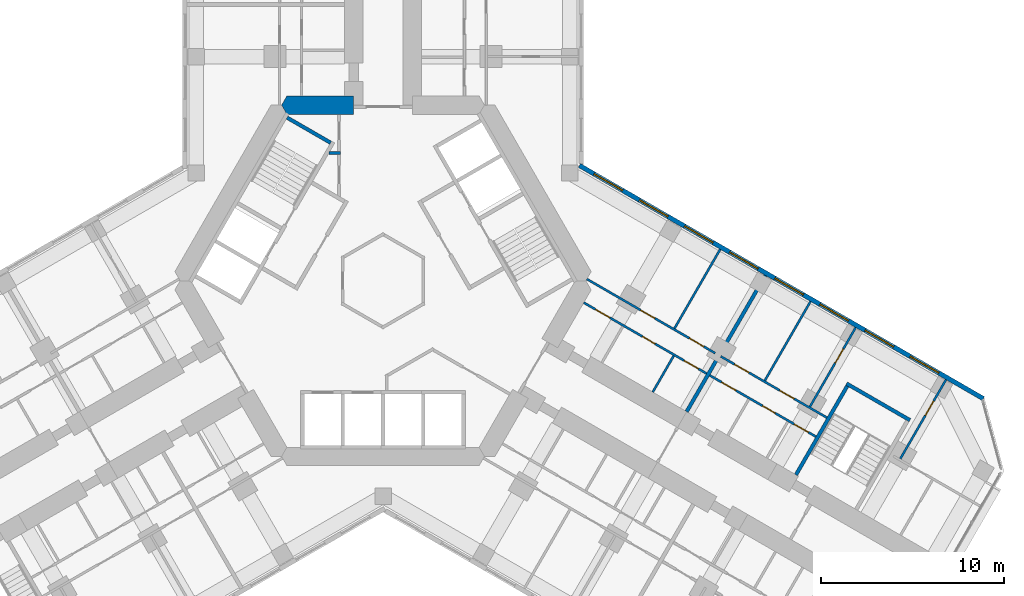
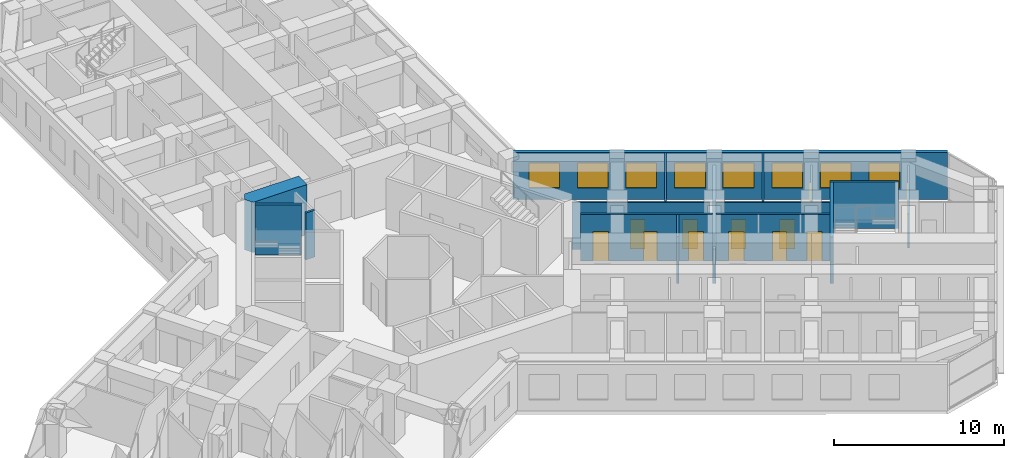
# One storey, part 16 of 21: 16 walls, 12 doors, 8 windows, 20 openings.
"""IFC4 building model written with IfcOpenShell, lengths in metres."""

from ifc_helpers import new_model, si_unit, direction, frame, frame_2d, origin, place, context, subcontext, project, spatial, polyline, rectangle, outline, extrude, material, layer, layer_set, type_object, element, fill, save


model = new_model("IFC4")

# Units and contexts
model_context = context("Model", 3, precision=1e-05, world=origin(), true_north=direction((0.0, 1.0)))
body_context = subcontext(model_context, "Body", "Model", "MODEL_VIEW")
ifc_project = project(units=[si_unit("LENGTHUNIT", "METRE"), si_unit("AREAUNIT", "SQUARE_METRE"), si_unit("VOLUMEUNIT", "CUBIC_METRE"), si_unit("PLANEANGLEUNIT", "RADIAN"), si_unit("MASSUNIT", "GRAM", prefix="KILO")], contexts=[model_context])

# Site, building, storey
site_placement = place(None, origin())
site = spatial("IfcSite", under=ifc_project, at=site_placement, CompositionType="ELEMENT")
building_placement = place(site_placement, origin())
building = spatial("IfcBuilding", under=site, at=building_placement, Name="Kosmar Iwan School Tower", CompositionType="ELEMENT")
storey_placement = place(building_placement, frame((0.0, 0.0, 98.800048828125)))
storey = spatial("IfcBuildingStorey", under=building, at=storey_placement, Name="L24", CompositionType="ELEMENT", Elevation=98.800048828125)

# Walls
ifc_material_1 = material(Name="Gypsum board on steel studs, fire-rated", Category="steel")
ifc_layer_1 = layer(ifc_material_1, 0.14990234375)
ifc_layer_set_1 = layer_set([ifc_layer_1], Name="Core room partition 150")
wall_type_1 = type_object("IfcWallType", Name="Core room partition 150", PredefinedType="PARTITIONING", material=ifc_layer_set_1)
wall_1_placement = place(storey_placement, frame((-2.324951171875, 6.985107421875, 0.0), z_axis=(0.0, 0.0, 1.0), x_axis=(-1.0, 0.0, 0.0)))
element("IfcWall", 1, at=wall_1_placement, inside=storey, type_object=wall_type_1, Name="Core room partition L24-CW2", PredefinedType="PARTITIONING", context=body_context, shape_type="SweptSolid", body=[
    extrude(rectangle(XDim=0.623779296875, YDim=0.14990234375, at=frame_2d((0.31201171875, 0.0))), origin(), (0.0, 0.0, 1.0), 3.349853515625),
])
ifc_material_2 = material(Name="Concrete C50/60", Category="concrete")
ifc_layer_2 = layer(ifc_material_2, 1.0)
ifc_layer_set_2 = layer_set([ifc_layer_2], Name="Core wall 1000")
wall_type_2 = type_object("IfcWallType", Name="Core wall 1000", PredefinedType="SHEAR", material=ifc_layer_set_2)
wall_2_placement = place(storey_placement, origin())
element("IfcWall", 2, at=wall_2_placement, inside=storey, type_object=wall_type_2, Name="Core wall F090b", PredefinedType="SHEAR", context=body_context, shape_type="SweptSolid", body=[
    extrude(outline(polyline([(-5.25390625, 9.10009765625), (-1.60009765625, 9.10009765625), (-1.60009765625, 10.10009765625), (-5.25390625, 10.10009765625), (-5.54248046875, 9.60009765625), (-5.25390625, 9.10009765625)])), origin(), (0.0, 0.0, 1.0), 3.599853515625),
])

# Wall, openings, doors
ifc_material_3 = material(Name="Gypsum board on steel studs", Category="steel")
ifc_layer_3 = layer(ifc_material_3, 0.1201171875)
ifc_layer_set_3 = layer_set([ifc_layer_3], Name="Dwelling partition 120")
wall_type_3 = type_object("IfcWallType", Name="Dwelling partition 120", PredefinedType="PARTITIONING", material=ifc_layer_set_3)
wall_3_placement = place(storey_placement, frame((10.971923828125, -1.1962890625, 0.0), z_axis=(0.0, 0.0, 1.0), x_axis=(0.866024534185, -0.500001506187, 0.0)))
wall_3 = element("IfcWall", 3, at=wall_3_placement, inside=storey, type_object=wall_type_3, Name="Partition L24-CL1-W1", PredefinedType="PARTITIONING", context=body_context, shape_type="SweptSolid", body=[
    extrude(rectangle(XDim=7.75, YDim=0.1201171875, at=frame_2d((3.875, 0.0))), origin(), (0.0, 0.0, 1.0), 3.349853515625),
])
opening_1_placement = place(wall_3_placement, frame((0.75, 0.0, 0.0)))
opening_1 = element("IfcOpeningElement", 4, at=opening_1_placement, cuts=wall_3, Name="Opening D2", PredefinedType="OPENING", context=body_context, shape_type="SweptSolid", body=[
    extrude(rectangle(XDim=0.89990234375, YDim=2.10009765625, at=frame_2d((0.449951171875, 1.050048828125))), frame((0.0, 0.072021484375, 0.0), z_axis=(0.0, -1.0, 0.0), x_axis=(1.0, 0.0, 0.0)), (0.0, 0.0, 1.0), 0.14404296875),
])
opening_2_placement = place(wall_3_placement, frame((3.705078125, 0.0, 0.0)))
opening_2 = element("IfcOpeningElement", 5, at=opening_2_placement, cuts=wall_3, Name="Opening D3", PredefinedType="OPENING", context=body_context, shape_type="SweptSolid", body=[
    extrude(rectangle(XDim=0.800048828125, YDim=2.10009765625, at=frame_2d((0.39990234375, 1.050048828125))), frame((0.0, 0.072021484375, 0.0), z_axis=(0.0, -1.0, 0.0), x_axis=(1.0, 0.0, 0.0)), (0.0, 0.0, 1.0), 0.14404296875),
])
opening_3_placement = place(wall_3_placement, frame((6.330078125, 0.0, 0.0)))
opening_3 = element("IfcOpeningElement", 6, at=opening_3_placement, cuts=wall_3, Name="Opening D2", PredefinedType="OPENING", context=body_context, shape_type="SweptSolid", body=[
    extrude(rectangle(XDim=0.89990234375, YDim=2.10009765625, at=frame_2d((0.449951171875, 1.050048828125))), frame((0.0, 0.072021484375, 0.0), z_axis=(0.0, -1.0, 0.0), x_axis=(1.0, 0.0, 0.0)), (0.0, 0.0, 1.0), 0.14404296875),
])
ifc_material_4 = material(Name="Timber door in timber frame", Category="wood")
door_type_1 = type_object("IfcDoorType", Name="Internal door 900x2100", OperationType="SINGLE_SWING_LEFT", PredefinedType="DOOR", material=ifc_material_4)
door_1_placement = place(opening_1_placement, origin())
door_1 = element("IfcDoor", 7, at=door_1_placement, inside=storey, type_object=door_type_1, Name="Entrance hall door L24-CL1-S1", OperationType="SINGLE_SWING_LEFT", OverallHeight=2.10009765625, OverallWidth=0.89990234375, PredefinedType="DOOR", context=body_context, shape_type="SweptSolid", body=[
    extrude(rectangle(XDim=0.89990234375, YDim=2.10009765625, at=frame_2d((0.449951171875, 1.050048828125))), frame((0.0, 0.02490234375, 0.0), z_axis=(0.0, -1.0, 0.0), x_axis=(1.0, 0.0, 0.0)), (0.0, 0.0, 1.0), 0.050048828125),
])
fill(opening_1, door_1)
door_2_placement = place(opening_3_placement, origin())
door_2 = element("IfcDoor", 8, at=door_2_placement, inside=storey, type_object=door_type_1, Name="Pantry door L24-CL1-S3", OperationType="SINGLE_SWING_RIGHT", OverallHeight=2.10009765625, OverallWidth=0.89990234375, PredefinedType="DOOR", context=body_context, shape_type="SweptSolid", body=[
    extrude(rectangle(XDim=0.89990234375, YDim=2.10009765625, at=frame_2d((0.449951171875, 1.050048828125))), frame((0.0, 0.02490234375, 0.0), z_axis=(0.0, -1.0, 0.0), x_axis=(1.0, 0.0, 0.0)), (0.0, 0.0, 1.0), 0.050048828125),
])
fill(opening_3, door_2)
ifc_material_5 = material(Name="Timber door in timber frame", Category="wood")
door_type_2 = type_object("IfcDoorType", Name="Sanitary room door 800x2100", OperationType="SINGLE_SWING_LEFT", PredefinedType="DOOR", material=ifc_material_5)
door_3_placement = place(opening_2_placement, origin())
door_3 = element("IfcDoor", 9, at=door_3_placement, inside=storey, type_object=door_type_2, Name="Bathroom door L24-CL1-S2", OperationType="SINGLE_SWING_RIGHT", OverallHeight=2.10009765625, OverallWidth=0.800048828125, PredefinedType="DOOR", context=body_context, shape_type="SweptSolid", body=[
    extrude(rectangle(XDim=0.800048828125, YDim=2.10009765625, at=frame_2d((0.39990234375, 1.050048828125))), frame((0.0, 0.02490234375, 0.0), z_axis=(0.0, -1.0, 0.0), x_axis=(1.0, 0.0, 0.0)), (0.0, 0.0, 1.0), 0.050048828125),
])
fill(opening_2, door_3)

wall_4_placement = place(storey_placement, frame((11.138916015625, 0.093017578125, 0.0), z_axis=(0.0, 0.0, 1.0), x_axis=(0.866017937352, -0.500012932018, 0.0)))
wall_4 = element("IfcWall", 10, at=wall_4_placement, inside=storey, type_object=wall_type_3, Name="Partition L24-CL1-W2", PredefinedType="PARTITIONING", context=body_context, shape_type="SweptSolid", body=[
    extrude(rectangle(XDim=8.099853515625, YDim=0.1201171875, at=frame_2d((4.0498046875, 0.0))), origin(), (0.0, 0.0, 1.0), 3.349853515625),
])
opening_4_placement = place(wall_4_placement, frame((3.39990234375, 0.0, 0.0)))
opening_4 = element("IfcOpeningElement", 11, at=opening_4_placement, cuts=wall_4, Name="Opening D2", PredefinedType="OPENING", context=body_context, shape_type="SweptSolid", body=[
    extrude(rectangle(XDim=0.89990234375, YDim=2.10009765625, at=frame_2d((0.449951171875, 1.050048828125))), frame((0.0, 0.072021484375, 0.0), z_axis=(0.0, -1.0, 0.0), x_axis=(1.0, 0.0, 0.0)), (0.0, 0.0, 1.0), 0.14404296875),
])
opening_5_placement = place(wall_4_placement, frame((6.47509765625, 0.0, 0.0)))
opening_5 = element("IfcOpeningElement", 12, at=opening_5_placement, cuts=wall_4, Name="Opening D2", PredefinedType="OPENING", context=body_context, shape_type="SweptSolid", body=[
    extrude(rectangle(XDim=0.89990234375, YDim=2.10009765625, at=frame_2d((0.449951171875, 1.050048828125))), frame((0.0, 0.072021484375, 0.0), z_axis=(0.0, -1.0, 0.0), x_axis=(1.0, 0.0, 0.0)), (0.0, 0.0, 1.0), 0.14404296875),
])
door_4_placement = place(opening_4_placement, origin())
door_4 = element("IfcDoor", 13, at=door_4_placement, inside=storey, type_object=door_type_1, Name="Living room and kitchen door L24-CL1-F1", OperationType="SINGLE_SWING_RIGHT", OverallHeight=2.10009765625, OverallWidth=0.89990234375, PredefinedType="DOOR", context=body_context, shape_type="SweptSolid", body=[
    extrude(rectangle(XDim=0.89990234375, YDim=2.10009765625, at=frame_2d((0.449951171875, 1.050048828125))), frame((0.0, 0.02490234375, 0.0), z_axis=(0.0, -1.0, 0.0), x_axis=(1.0, 0.0, 0.0)), (0.0, 0.0, 1.0), 0.050048828125),
])
fill(opening_4, door_4)
door_5_placement = place(opening_5_placement, origin())
door_5 = element("IfcDoor", 14, at=door_5_placement, inside=storey, type_object=door_type_1, Name="Bedroom 1 door L24-CL1-F2", OperationType="SINGLE_SWING_RIGHT", OverallHeight=2.10009765625, OverallWidth=0.89990234375, PredefinedType="DOOR", context=body_context, shape_type="SweptSolid", body=[
    extrude(rectangle(XDim=0.89990234375, YDim=2.10009765625, at=frame_2d((0.449951171875, 1.050048828125))), frame((0.0, 0.02490234375, 0.0), z_axis=(0.0, -1.0, 0.0), x_axis=(1.0, 0.0, 0.0)), (0.0, 0.0, 1.0), 0.050048828125),
])
fill(opening_5, door_5)

# Walls
wall_5_placement = place(storey_placement, frame((15.931884765625, -2.60498046875, 0.0), z_axis=(0.0, 0.0, 1.0), x_axis=(0.500011847778, 0.866018563358, 0.0)))
element("IfcWall", 15, at=wall_5_placement, inside=storey, type_object=wall_type_3, Name="Partition L24-CL1-X1", PredefinedType="PARTITIONING", context=body_context, shape_type="SweptSolid", body=[
    extrude(rectangle(XDim=4.990234375, YDim=0.1201171875, at=frame_2d((2.4951171875, 0.0))), origin(), (0.0, 0.0, 1.0), 3.349853515625),
])
wall_6_placement = place(storey_placement, frame((14.741943359375, -6.08642578125, 0.0), z_axis=(0.0, 0.0, 1.0), x_axis=(0.499968531483, 0.866043571379, 0.0)))
element("IfcWall", 16, at=wall_6_placement, inside=storey, type_object=wall_type_3, Name="Partition L24-CL1-Y2", PredefinedType="PARTITIONING", context=body_context, shape_type="SweptSolid", body=[
    extrude(rectangle(XDim=2.290283203125, YDim=0.1201171875, at=frame_2d((1.14501953125, 0.0))), origin(), (0.0, 0.0, 1.0), 3.349853515625),
])

# Wall, openings, doors
wall_7_placement = place(storey_placement, frame((17.856689453125, -5.171142578125, 0.0), z_axis=(0.0, 0.0, 1.0), x_axis=(0.866023571113, -0.500003174267, 0.0)))
wall_7 = element("IfcWall", 17, at=wall_7_placement, inside=storey, type_object=wall_type_3, Name="Partition L24-CL2-W1", PredefinedType="PARTITIONING", context=body_context, shape_type="SweptSolid", body=[
    extrude(rectangle(XDim=6.7001953125, YDim=0.1201171875, at=frame_2d((3.35009765625, 0.0))), origin(), (0.0, 0.0, 1.0), 3.349853515625),
])
opening_6_placement = place(wall_7_placement, frame((0.75, 0.0, 0.0)))
opening_6 = element("IfcOpeningElement", 18, at=opening_6_placement, cuts=wall_7, Name="Opening D2", PredefinedType="OPENING", context=body_context, shape_type="SweptSolid", body=[
    extrude(rectangle(XDim=0.89990234375, YDim=2.10009765625, at=frame_2d((0.449951171875, 1.050048828125))), frame((0.0, 0.072021484375, 0.0), z_axis=(0.0, -1.0, 0.0), x_axis=(1.0, 0.0, 0.0)), (0.0, 0.0, 1.0), 0.14404296875),
])
opening_7_placement = place(wall_7_placement, frame((3.330078125, 0.0, 0.0)))
opening_7 = element("IfcOpeningElement", 19, at=opening_7_placement, cuts=wall_7, Name="Opening D3", PredefinedType="OPENING", context=body_context, shape_type="SweptSolid", body=[
    extrude(rectangle(XDim=0.800048828125, YDim=2.10009765625, at=frame_2d((0.39990234375, 1.050048828125))), frame((0.0, 0.072021484375, 0.0), z_axis=(0.0, -1.0, 0.0), x_axis=(1.0, 0.0, 0.0)), (0.0, 0.0, 1.0), 0.14404296875),
])
opening_8_placement = place(wall_7_placement, frame((5.330078125, 0.0, 0.0)))
opening_8 = element("IfcOpeningElement", 20, at=opening_8_placement, cuts=wall_7, Name="Opening D2", PredefinedType="OPENING", context=body_context, shape_type="SweptSolid", body=[
    extrude(rectangle(XDim=0.89990234375, YDim=2.10009765625, at=frame_2d((0.449951171875, 1.050048828125))), frame((0.0, 0.072021484375, 0.0), z_axis=(0.0, -1.0, 0.0), x_axis=(1.0, 0.0, 0.0)), (0.0, 0.0, 1.0), 0.14404296875),
])
door_6_placement = place(opening_6_placement, origin())
door_6 = element("IfcDoor", 21, at=door_6_placement, inside=storey, type_object=door_type_1, Name="Entrance hall door L24-CL2-S1", OperationType="SINGLE_SWING_LEFT", OverallHeight=2.10009765625, OverallWidth=0.89990234375, PredefinedType="DOOR", context=body_context, shape_type="SweptSolid", body=[
    extrude(rectangle(XDim=0.89990234375, YDim=2.10009765625, at=frame_2d((0.449951171875, 1.050048828125))), frame((0.0, 0.02490234375, 0.0), z_axis=(0.0, -1.0, 0.0), x_axis=(1.0, 0.0, 0.0)), (0.0, 0.0, 1.0), 0.050048828125),
])
fill(opening_6, door_6)
door_7_placement = place(opening_8_placement, frame((0.89990234375, 0.0, 0.0), z_axis=(0.0, 0.0, 1.0), x_axis=(-1.0, 0.0, 0.0)))
door_7 = element("IfcDoor", 22, at=door_7_placement, inside=storey, type_object=door_type_1, Name="Pantry door L24-CL2-S3", OperationType="SINGLE_SWING_LEFT", OverallHeight=2.10009765625, OverallWidth=0.89990234375, PredefinedType="DOOR", context=body_context, shape_type="SweptSolid", body=[
    extrude(rectangle(XDim=0.89990234375, YDim=2.10009765625, at=frame_2d((0.449951171875, 1.050048828125))), frame((0.0, 0.02490234375, 0.0), z_axis=(0.0, -1.0, 0.0), x_axis=(1.0, 0.0, 0.0)), (0.0, 0.0, 1.0), 0.050048828125),
])
fill(opening_8, door_7)
door_8_placement = place(opening_7_placement, origin())
door_8 = element("IfcDoor", 23, at=door_8_placement, inside=storey, type_object=door_type_2, Name="Bathroom door L24-CL2-S2", OperationType="SINGLE_SWING_RIGHT", OverallHeight=2.10009765625, OverallWidth=0.800048828125, PredefinedType="DOOR", context=body_context, shape_type="SweptSolid", body=[
    extrude(rectangle(XDim=0.800048828125, YDim=2.10009765625, at=frame_2d((0.39990234375, 1.050048828125))), frame((0.0, 0.02490234375, 0.0), z_axis=(0.0, -1.0, 0.0), x_axis=(1.0, 0.0, 0.0)), (0.0, 0.0, 1.0), 0.050048828125),
])
fill(opening_7, door_8)

wall_8_placement = place(storey_placement, frame((18.456787109375, -4.1318359375, 0.0), z_axis=(0.0, 0.0, 1.0), x_axis=(0.866014461049, -0.500018952895, 0.0)))
wall_8 = element("IfcWall", 24, at=wall_8_placement, inside=storey, type_object=wall_type_3, Name="Partition L24-CL2-W2", PredefinedType="PARTITIONING", context=body_context, shape_type="SweptSolid", body=[
    extrude(rectangle(XDim=6.699951171875, YDim=0.1201171875, at=frame_2d((3.35009765625, 0.0))), origin(), (0.0, 0.0, 1.0), 3.349853515625),
])
opening_9_placement = place(wall_8_placement, frame((0.875, 0.0, 0.0)))
opening_9 = element("IfcOpeningElement", 25, at=opening_9_placement, cuts=wall_8, Name="Opening D2", PredefinedType="OPENING", context=body_context, shape_type="SweptSolid", body=[
    extrude(rectangle(XDim=0.89990234375, YDim=2.10009765625, at=frame_2d((0.449951171875, 1.050048828125))), frame((0.0, 0.072021484375, 0.0), z_axis=(0.0, -1.0, 0.0), x_axis=(1.0, 0.0, 0.0)), (0.0, 0.0, 1.0), 0.14404296875),
])
opening_10_placement = place(wall_8_placement, frame((3.72509765625, 0.0, 0.0)))
opening_10 = element("IfcOpeningElement", 26, at=opening_10_placement, cuts=wall_8, Name="Opening D2", PredefinedType="OPENING", context=body_context, shape_type="SweptSolid", body=[
    extrude(rectangle(XDim=0.89990234375, YDim=2.10009765625, at=frame_2d((0.449951171875, 1.050048828125))), frame((0.0, 0.072021484375, 0.0), z_axis=(0.0, -1.0, 0.0), x_axis=(1.0, 0.0, 0.0)), (0.0, 0.0, 1.0), 0.14404296875),
])
door_9_placement = place(opening_9_placement, origin())
door_9 = element("IfcDoor", 27, at=door_9_placement, inside=storey, type_object=door_type_1, Name="Living room and kitchen door L24-CL2-F1", OperationType="SINGLE_SWING_LEFT", OverallHeight=2.10009765625, OverallWidth=0.89990234375, PredefinedType="DOOR", context=body_context, shape_type="SweptSolid", body=[
    extrude(rectangle(XDim=0.89990234375, YDim=2.10009765625, at=frame_2d((0.449951171875, 1.050048828125))), frame((0.0, 0.02490234375, 0.0), z_axis=(0.0, -1.0, 0.0), x_axis=(1.0, 0.0, 0.0)), (0.0, 0.0, 1.0), 0.050048828125),
])
fill(opening_9, door_9)
door_10_placement = place(opening_10_placement, origin())
door_10 = element("IfcDoor", 28, at=door_10_placement, inside=storey, type_object=door_type_1, Name="Bedroom 1 door L24-CL2-F2", OperationType="SINGLE_SWING_RIGHT", OverallHeight=2.10009765625, OverallWidth=0.89990234375, PredefinedType="DOOR", context=body_context, shape_type="SweptSolid", body=[
    extrude(rectangle(XDim=0.89990234375, YDim=2.10009765625, at=frame_2d((0.449951171875, 1.050048828125))), frame((0.0, 0.02490234375, 0.0), z_axis=(0.0, -1.0, 0.0), x_axis=(1.0, 0.0, 0.0)), (0.0, 0.0, 1.0), 0.050048828125),
])
fill(opening_10, door_10)

# Wall
wall_9_placement = place(storey_placement, frame((20.868408203125, -5.455078125, 0.0), z_axis=(0.0, 0.0, 1.0), x_axis=(0.499975153383, 0.86603974851, 0.0)))
element("IfcWall", 29, at=wall_9_placement, inside=storey, type_object=wall_type_3, Name="Partition L24-CL2-X1", PredefinedType="PARTITIONING", context=body_context, shape_type="SweptSolid", body=[
    extrude(rectangle(XDim=4.989990234375, YDim=0.1201171875, at=frame_2d((2.4951171875, 0.0))), origin(), (0.0, 0.0, 1.0), 3.349853515625),
])

# Wall, opening, door
wall_10_placement = place(storey_placement, frame((23.33642578125, -6.8798828125, 0.0), z_axis=(0.0, 0.0, 1.0), x_axis=(0.500033033937, 0.866006330792, 0.0)))
wall_10 = element("IfcWall", 30, at=wall_10_placement, inside=storey, type_object=wall_type_3, Name="Partition L24-CL2-TB", PredefinedType="PARTITIONING", context=body_context, shape_type="SweptSolid", body=[
    extrude(rectangle(XDim=4.989990234375, YDim=0.1201171875, at=frame_2d((2.4951171875, 0.0))), origin(), (0.0, 0.0, 1.0), 2.449951171875),
])
opening_11_placement = place(wall_10_placement, frame((2.739990234375, 0.0, 0.0)))
opening_11 = element("IfcOpeningElement", 31, at=opening_11_placement, cuts=wall_10, Name="Opening D2", PredefinedType="OPENING", context=body_context, shape_type="SweptSolid", body=[
    extrude(rectangle(XDim=0.89990234375, YDim=2.10009765625, at=frame_2d((0.449951171875, 1.050048828125))), frame((0.0, 0.072021484375, 0.0), z_axis=(0.0, -1.0, 0.0), x_axis=(1.0, 0.0, 0.0)), (0.0, 0.0, 1.0), 0.14404296875),
])
door_11_placement = place(opening_11_placement, origin())
door_11 = element("IfcDoor", 32, at=door_11_placement, inside=storey, type_object=door_type_1, Name="Study door L24-CL2-F2", OperationType="SINGLE_SWING_RIGHT", OverallHeight=2.10009765625, OverallWidth=0.89990234375, PredefinedType="DOOR", context=body_context, shape_type="SweptSolid", body=[
    extrude(rectangle(XDim=0.89990234375, YDim=2.10009765625, at=frame_2d((0.449951171875, 1.050048828125))), frame((0.0, 0.02490234375, 0.0), z_axis=(0.0, -1.0, 0.0), x_axis=(1.0, 0.0, 0.0)), (0.0, 0.0, 1.0), 0.050048828125),
])
fill(opening_11, door_11)

wall_11_placement = place(storey_placement, frame((28.27294921875, -9.72998046875, 0.0), z_axis=(0.0, 0.0, 1.0), x_axis=(0.499975153383, 0.86603974851, 0.0)))
wall_11 = element("IfcWall", 33, at=wall_11_placement, inside=storey, type_object=wall_type_3, Name="Partition L24-CL2-TX", PredefinedType="PARTITIONING", context=body_context, shape_type="SweptSolid", body=[
    extrude(rectangle(XDim=4.989990234375, YDim=0.1201171875, at=frame_2d((2.4951171875, 0.0))), origin(), (0.0, 0.0, 1.0), 2.449951171875),
])
opening_12_placement = place(wall_11_placement, frame((2.739990234375, 0.0, 0.0)))
opening_12 = element("IfcOpeningElement", 34, at=opening_12_placement, cuts=wall_11, Name="Opening D2", PredefinedType="OPENING", context=body_context, shape_type="SweptSolid", body=[
    extrude(rectangle(XDim=0.89990234375, YDim=2.10009765625, at=frame_2d((0.449951171875, 1.050048828125))), frame((0.0, 0.072021484375, 0.0), z_axis=(0.0, -1.0, 0.0), x_axis=(1.0, 0.0, 0.0)), (0.0, 0.0, 1.0), 0.14404296875),
])
door_12_placement = place(opening_12_placement, origin())
door_12 = element("IfcDoor", 35, at=door_12_placement, inside=storey, type_object=door_type_1, Name="Study door L24-CL2-T1", OperationType="SINGLE_SWING_RIGHT", OverallHeight=2.10009765625, OverallWidth=0.89990234375, PredefinedType="DOOR", context=body_context, shape_type="SweptSolid", body=[
    extrude(rectangle(XDim=0.89990234375, YDim=2.10009765625, at=frame_2d((0.449951171875, 1.050048828125))), frame((0.0, 0.02490234375, 0.0), z_axis=(0.0, -1.0, 0.0), x_axis=(1.0, 0.0, 0.0)), (0.0, 0.0, 1.0), 0.050048828125),
])
fill(opening_12, door_12)

# Walls
ifc_material_6 = material(Name="Concrete C35/45", Category="concrete")
ifc_layer_4 = layer(ifc_material_6, 0.199951171875)
ifc_layer_set_4 = layer_set([ifc_layer_4], Name="Escape stair wall 200")
wall_type_4 = type_object("IfcWallType", Name="Escape stair wall 200", PredefinedType="SHEAR", material=ifc_layer_set_4)
wall_12_placement = place(storey_placement, frame((22.57080078125, -10.6064453125, 0.0), z_axis=(0.0, 0.0, 1.0), x_axis=(0.499987231761, 0.866032775405, 0.0)))
element("IfcWall", 36, at=wall_12_placement, inside=storey, type_object=wall_type_4, Name="Stair WS3 wall", PredefinedType="SHEAR", context=body_context, shape_type="SweptSolid", body=[
    extrude(rectangle(XDim=5.800048828125, YDim=0.199951171875, at=frame_2d((2.89990234375, 0.0))), origin(), (0.0, 0.0, 1.0), 3.329833984375),
])
wall_13_placement = place(storey_placement, frame((25.334228515625, -5.6201171875, 0.0), z_axis=(0.0, 0.0, 1.0), x_axis=(0.866026010844, -0.49999894854, 0.0)))
element("IfcWall", 37, at=wall_13_placement, inside=storey, type_object=wall_type_4, Name="Stair WS3 wall", PredefinedType="SHEAR", context=body_context, shape_type="SweptSolid", body=[
    extrude(rectangle(XDim=4.0, YDim=0.199951171875, at=frame_2d((2.0, 0.0))), origin(), (0.0, 0.0, 1.0), 3.329833984375),
])

# Wall, openings, windows
ifc_material_7 = material(Name="Black aluminium rainscreen on insulated framing", Category="aluminium")
ifc_layer_5 = layer(ifc_material_7, 0.25)
ifc_layer_set_5 = layer_set([ifc_layer_5], Name="External wall rainscreen 250")
wall_type_5 = type_object("IfcWallType", Name="External wall rainscreen 250", PredefinedType="SOLIDWALL", material=ifc_layer_set_5)
wall_14_placement = place(storey_placement, frame((10.73681640625, 6.30078125, 0.0), z_axis=(0.0, 0.0, 1.0), x_axis=(0.866026390279, -0.499998291337, 0.0)))
wall_14 = element("IfcWall", 38, at=wall_14_placement, inside=storey, type_object=wall_type_5, Name="External wall CL L24", PredefinedType="SOLIDWALL", context=body_context, shape_type="SweptSolid", body=[
    extrude(rectangle(XDim=25.4873046875, YDim=0.25, at=frame_2d((12.74365234375, 0.0))), origin(), (0.0, 0.0, 1.0), 3.349853515625),
])
opening_13_placement = place(wall_14_placement, frame((0.927001953125, 0.0, 0.800048828125)))
opening_13 = element("IfcOpeningElement", 39, at=opening_13_placement, cuts=wall_14, Name="Opening W1", PredefinedType="OPENING", context=body_context, shape_type="SweptSolid", body=[
    extrude(rectangle(XDim=1.800048828125, YDim=1.800048828125, at=frame_2d((0.89990234375, 0.89990234375))), frame((0.0, 0.136962890625, 0.0), z_axis=(0.0, -1.0, 0.0), x_axis=(1.0, 0.0, 0.0)), (0.0, 0.0, 1.0), 0.27392578125),
])
opening_14_placement = place(wall_14_placement, frame((3.777099609375, 0.0, 0.800048828125)))
opening_14 = element("IfcOpeningElement", 40, at=opening_14_placement, cuts=wall_14, Name="Opening W1", PredefinedType="OPENING", context=body_context, shape_type="SweptSolid", body=[
    extrude(rectangle(XDim=1.800048828125, YDim=1.800048828125, at=frame_2d((0.89990234375, 0.89990234375))), frame((0.0, 0.136962890625, 0.0), z_axis=(0.0, -1.0, 0.0), x_axis=(1.0, 0.0, 0.0)), (0.0, 0.0, 1.0), 0.27392578125),
])
opening_15_placement = place(wall_14_placement, frame((6.626953125, 0.0, 0.800048828125)))
opening_15 = element("IfcOpeningElement", 41, at=opening_15_placement, cuts=wall_14, Name="Opening W1", PredefinedType="OPENING", context=body_context, shape_type="SweptSolid", body=[
    extrude(rectangle(XDim=1.800048828125, YDim=1.800048828125, at=frame_2d((0.89990234375, 0.89990234375))), frame((0.0, 0.136962890625, 0.0), z_axis=(0.0, -1.0, 0.0), x_axis=(1.0, 0.0, 0.0)), (0.0, 0.0, 1.0), 0.27392578125),
])
opening_16_placement = place(wall_14_placement, frame((9.47705078125, 0.0, 0.800048828125)))
opening_16 = element("IfcOpeningElement", 42, at=opening_16_placement, cuts=wall_14, Name="Opening W1", PredefinedType="OPENING", context=body_context, shape_type="SweptSolid", body=[
    extrude(rectangle(XDim=1.800048828125, YDim=1.800048828125, at=frame_2d((0.89990234375, 0.89990234375))), frame((0.0, 0.136962890625, 0.0), z_axis=(0.0, -1.0, 0.0), x_axis=(1.0, 0.0, 0.0)), (0.0, 0.0, 1.0), 0.27392578125),
])
opening_17_placement = place(wall_14_placement, frame((12.326904296875, 0.0, 0.800048828125)))
opening_17 = element("IfcOpeningElement", 43, at=opening_17_placement, cuts=wall_14, Name="Opening W1", PredefinedType="OPENING", context=body_context, shape_type="SweptSolid", body=[
    extrude(rectangle(XDim=1.800048828125, YDim=1.800048828125, at=frame_2d((0.89990234375, 0.89990234375))), frame((0.0, 0.136962890625, 0.0), z_axis=(0.0, -1.0, 0.0), x_axis=(1.0, 0.0, 0.0)), (0.0, 0.0, 1.0), 0.27392578125),
])
opening_18_placement = place(wall_14_placement, frame((15.177001953125, 0.0, 0.800048828125)))
opening_18 = element("IfcOpeningElement", 44, at=opening_18_placement, cuts=wall_14, Name="Opening W1", PredefinedType="OPENING", context=body_context, shape_type="SweptSolid", body=[
    extrude(rectangle(XDim=1.800048828125, YDim=1.800048828125, at=frame_2d((0.89990234375, 0.89990234375))), frame((0.0, 0.136962890625, 0.0), z_axis=(0.0, -1.0, 0.0), x_axis=(1.0, 0.0, 0.0)), (0.0, 0.0, 1.0), 0.27392578125),
])
opening_19_placement = place(wall_14_placement, frame((18.027099609375, 0.0, 0.800048828125)))
opening_19 = element("IfcOpeningElement", 45, at=opening_19_placement, cuts=wall_14, Name="Opening W1", PredefinedType="OPENING", context=body_context, shape_type="SweptSolid", body=[
    extrude(rectangle(XDim=1.800048828125, YDim=1.800048828125, at=frame_2d((0.89990234375, 0.89990234375))), frame((0.0, 0.136962890625, 0.0), z_axis=(0.0, -1.0, 0.0), x_axis=(1.0, 0.0, 0.0)), (0.0, 0.0, 1.0), 0.27392578125),
])
opening_20_placement = place(wall_14_placement, frame((20.876953125, 0.0, 0.800048828125)))
opening_20 = element("IfcOpeningElement", 46, at=opening_20_placement, cuts=wall_14, Name="Opening W1", PredefinedType="OPENING", context=body_context, shape_type="SweptSolid", body=[
    extrude(rectangle(XDim=1.800048828125, YDim=1.800048828125, at=frame_2d((0.89990234375, 0.89990234375))), frame((0.0, 0.136962890625, 0.0), z_axis=(0.0, -1.0, 0.0), x_axis=(1.0, 0.0, 0.0)), (0.0, 0.0, 1.0), 0.27392578125),
])
ifc_material_8 = material(Name="Black aluminium frame with dark triple glazing", Category="aluminium")
window_type = type_object("IfcWindowType", Name="Window 1800x1800", PartitioningType="SINGLE_PANEL", PredefinedType="WINDOW", material=ifc_material_8)
window_1_placement = place(opening_13_placement, origin())
window_1 = element("IfcWindow", 47, at=window_1_placement, inside=storey, type_object=window_type, Name="Window CL L24 -1", OverallHeight=1.800048828125, OverallWidth=1.800048828125, PartitioningType="SINGLE_PANEL", PredefinedType="WINDOW", context=body_context, shape_type="SweptSolid", body=[
    extrude(rectangle(XDim=1.800048828125, YDim=1.800048828125, at=frame_2d((0.89990234375, 0.89990234375))), frame((0.0, 0.030029296875, 0.0), z_axis=(0.0, -1.0, 0.0), x_axis=(1.0, 0.0, 0.0)), (0.0, 0.0, 1.0), 0.06005859375),
])
fill(opening_13, window_1)
window_2_placement = place(opening_14_placement, origin())
window_2 = element("IfcWindow", 48, at=window_2_placement, inside=storey, type_object=window_type, Name="Window CL L24 0", OverallHeight=1.800048828125, OverallWidth=1.800048828125, PartitioningType="SINGLE_PANEL", PredefinedType="WINDOW", context=body_context, shape_type="SweptSolid", body=[
    extrude(rectangle(XDim=1.800048828125, YDim=1.800048828125, at=frame_2d((0.89990234375, 0.89990234375))), frame((0.0, 0.030029296875, 0.0), z_axis=(0.0, -1.0, 0.0), x_axis=(1.0, 0.0, 0.0)), (0.0, 0.0, 1.0), 0.06005859375),
])
fill(opening_14, window_2)
window_3_placement = place(opening_15_placement, origin())
window_3 = element("IfcWindow", 49, at=window_3_placement, inside=storey, type_object=window_type, Name="Window CL L24 1", OverallHeight=1.800048828125, OverallWidth=1.800048828125, PartitioningType="SINGLE_PANEL", PredefinedType="WINDOW", context=body_context, shape_type="SweptSolid", body=[
    extrude(rectangle(XDim=1.800048828125, YDim=1.800048828125, at=frame_2d((0.89990234375, 0.89990234375))), frame((0.0, 0.030029296875, 0.0), z_axis=(0.0, -1.0, 0.0), x_axis=(1.0, 0.0, 0.0)), (0.0, 0.0, 1.0), 0.06005859375),
])
fill(opening_15, window_3)
window_4_placement = place(opening_16_placement, origin())
window_4 = element("IfcWindow", 50, at=window_4_placement, inside=storey, type_object=window_type, Name="Window CL L24 2", OverallHeight=1.800048828125, OverallWidth=1.800048828125, PartitioningType="SINGLE_PANEL", PredefinedType="WINDOW", context=body_context, shape_type="SweptSolid", body=[
    extrude(rectangle(XDim=1.800048828125, YDim=1.800048828125, at=frame_2d((0.89990234375, 0.89990234375))), frame((0.0, 0.030029296875, 0.0), z_axis=(0.0, -1.0, 0.0), x_axis=(1.0, 0.0, 0.0)), (0.0, 0.0, 1.0), 0.06005859375),
])
fill(opening_16, window_4)
window_5_placement = place(opening_17_placement, origin())
window_5 = element("IfcWindow", 51, at=window_5_placement, inside=storey, type_object=window_type, Name="Window CL L24 3", OverallHeight=1.800048828125, OverallWidth=1.800048828125, PartitioningType="SINGLE_PANEL", PredefinedType="WINDOW", context=body_context, shape_type="SweptSolid", body=[
    extrude(rectangle(XDim=1.800048828125, YDim=1.800048828125, at=frame_2d((0.89990234375, 0.89990234375))), frame((0.0, 0.030029296875, 0.0), z_axis=(0.0, -1.0, 0.0), x_axis=(1.0, 0.0, 0.0)), (0.0, 0.0, 1.0), 0.06005859375),
])
fill(opening_17, window_5)
window_6_placement = place(opening_18_placement, origin())
window_6 = element("IfcWindow", 52, at=window_6_placement, inside=storey, type_object=window_type, Name="Window CL L24 4", OverallHeight=1.800048828125, OverallWidth=1.800048828125, PartitioningType="SINGLE_PANEL", PredefinedType="WINDOW", context=body_context, shape_type="SweptSolid", body=[
    extrude(rectangle(XDim=1.800048828125, YDim=1.800048828125, at=frame_2d((0.89990234375, 0.89990234375))), frame((0.0, 0.030029296875, 0.0), z_axis=(0.0, -1.0, 0.0), x_axis=(1.0, 0.0, 0.0)), (0.0, 0.0, 1.0), 0.06005859375),
])
fill(opening_18, window_6)
window_7_placement = place(opening_19_placement, origin())
window_7 = element("IfcWindow", 53, at=window_7_placement, inside=storey, type_object=window_type, Name="Window CL L24 5", OverallHeight=1.800048828125, OverallWidth=1.800048828125, PartitioningType="SINGLE_PANEL", PredefinedType="WINDOW", context=body_context, shape_type="SweptSolid", body=[
    extrude(rectangle(XDim=1.800048828125, YDim=1.800048828125, at=frame_2d((0.89990234375, 0.89990234375))), frame((0.0, 0.030029296875, 0.0), z_axis=(0.0, -1.0, 0.0), x_axis=(1.0, 0.0, 0.0)), (0.0, 0.0, 1.0), 0.06005859375),
])
fill(opening_19, window_7)
window_8_placement = place(opening_20_placement, origin())
window_8 = element("IfcWindow", 54, at=window_8_placement, inside=storey, type_object=window_type, Name="Window CL L24 6", OverallHeight=1.800048828125, OverallWidth=1.800048828125, PartitioningType="SINGLE_PANEL", PredefinedType="WINDOW", context=body_context, shape_type="SweptSolid", body=[
    extrude(rectangle(XDim=1.800048828125, YDim=1.800048828125, at=frame_2d((0.89990234375, 0.89990234375))), frame((0.0, 0.030029296875, 0.0), z_axis=(0.0, -1.0, 0.0), x_axis=(1.0, 0.0, 0.0)), (0.0, 0.0, 1.0), 0.06005859375),
])
fill(opening_20, window_8)

# Walls
ifc_material_9 = material(Name="Concrete block masonry", Category="masonry")
ifc_layer_6 = layer(ifc_material_9, 0.199951171875)
ifc_layer_set_6 = layer_set([ifc_layer_6], Name="Party wall 200")
wall_type_6 = type_object("IfcWallType", Name="Party wall 200", PredefinedType="PARTITIONING", material=ifc_layer_set_6)
wall_15_placement = place(storey_placement, frame((16.59521484375, -7.15625, 0.0), z_axis=(0.0, 0.0, 1.0), x_axis=(0.500007509209, 0.866021068297, 0.0)))
element("IfcWall", 55, at=wall_15_placement, inside=storey, type_object=wall_type_6, Name="Partition L24-CL2-PW", PredefinedType="PARTITIONING", context=body_context, shape_type="SweptSolid", body=[
    extrude(rectangle(XDim=8.599853515625, YDim=0.199951171875, at=frame_2d((4.2998046875, 0.0))), origin(), (0.0, 0.0, 1.0), 2.449951171875),
])
ifc_material_10 = material(Name="Concrete C50/60", Category="concrete")
ifc_layer_7 = layer(ifc_material_10, 0.199951171875)
ifc_layer_set_7 = layer_set([ifc_layer_7], Name="Stair enclosure wall 200")
wall_type_7 = type_object("IfcWallType", Name="Stair enclosure wall 200", PredefinedType="SHEAR", material=ifc_layer_set_7)
wall_16_placement = place(storey_placement, frame((-2.862548828125, 7.541748046875, 0.0), z_axis=(0.0, 0.0, 1.0), x_axis=(-0.866027397988, 0.499996545922, 0.0)))
element("IfcWall", 56, at=wall_16_placement, inside=storey, type_object=wall_type_7, Name="Stair ST2 wall", PredefinedType="SHEAR", context=body_context, shape_type="SweptSolid", body=[
    extrude(rectangle(XDim=2.75, YDim=0.199951171875, at=frame_2d((1.375, 0.0))), origin(), (0.0, 0.0, 1.0), 3.599853515625),
])

save(model, "model.ifc")
